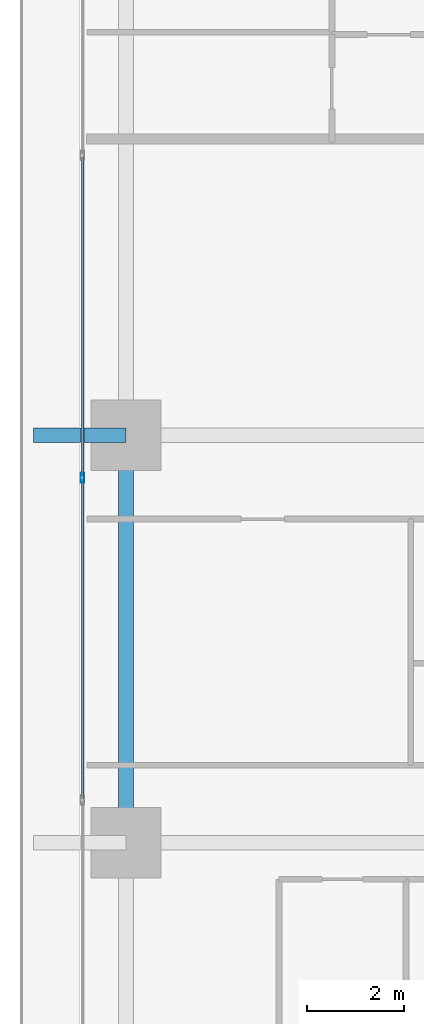
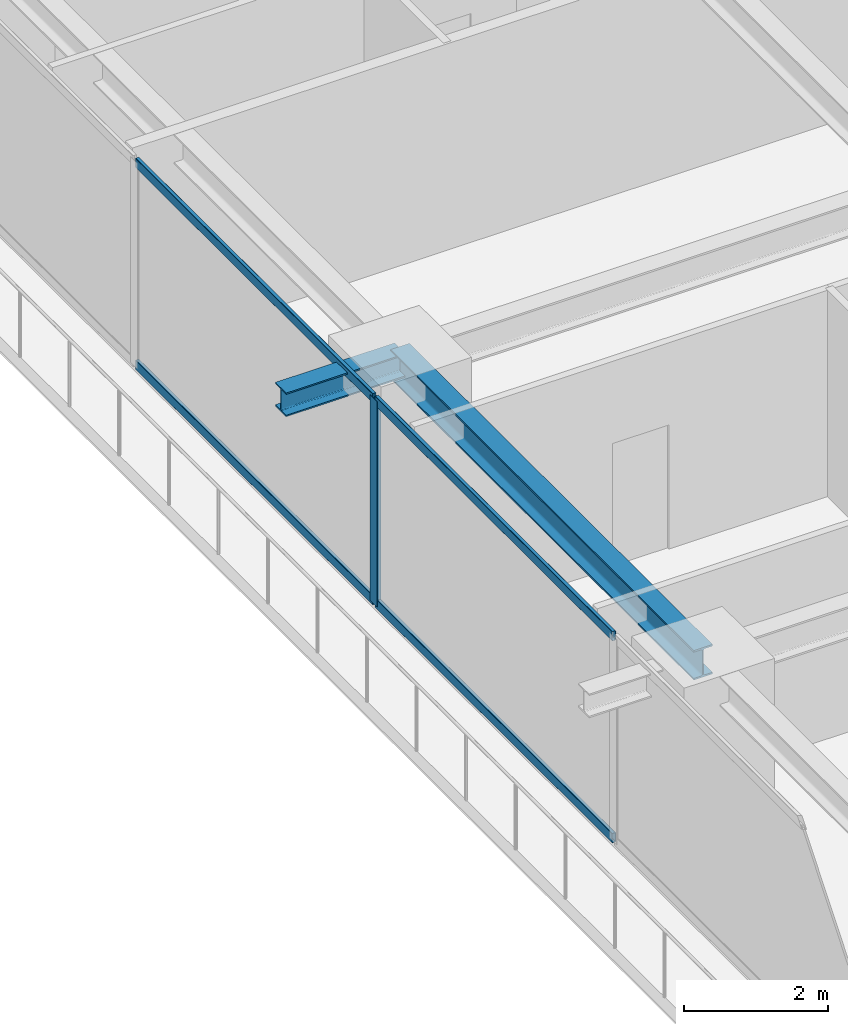
# One storey, part 8 of 37: 5 members, 2 beams, 1 element without a shape of its own.
"""IFC4 building model written with IfcOpenShell, lengths in metres."""

import ifcopenshell
import ifcopenshell.guid

model = None  # the IFC model being written
_history = None  # IfcOwnerHistory: only IFC2X3 demands one
_inside = {}  # id of a spatial element -> (the spatial element, [elements in it])
_under = {}  # id of a project, library or spatial element -> (it, [spatial elements below it])
_declared = {}  # id of a project -> (the project, [libraries it declares])
_typed = {}  # id of a type object -> (the type object, [elements of that type])
_made_of = {}  # id of a material, layer set ... -> (it, [elements and type objects made of it])


def new_model(schema):
    """Start an empty IFC model of exactly this schema.

    Asked for "IFC4X3", IfcOpenShell would pick the latest addendum, in which some entities
    have other attributes; the version numbers below select the first issue.
    IFC2X3 requires an IfcOwnerHistory on every rooted entity: one is made here for all.
    """
    global model, _history
    if schema == "IFC4X3":
        model = ifcopenshell.file(schema_version=(4, 3, 0, 0))
    else:
        model = ifcopenshell.file(schema=schema)
    _inside.clear()
    _under.clear()
    _declared.clear()
    _typed.clear()
    _made_of.clear()
    _history = None
    if model.schema == "IFC2X3":
        org = make("IfcOrganization", Name="unknown")
        user = make(
            "IfcPersonAndOrganization",
            ThePerson=make("IfcPerson", FamilyName="unknown"),
            TheOrganization=org,
        )
        app = make(
            "IfcApplication",
            ApplicationDeveloper=org,
            Version="unknown",
            ApplicationFullName="unknown",
            ApplicationIdentifier="unknown",
        )
        _history = make(
            "IfcOwnerHistory",
            OwningUser=user,
            OwningApplication=app,
            ChangeAction="ADDED",
            CreationDate=0,
        )
    return model


def make(cls, **values):
    """One entity of the class cls with the attributes given. An attribute that is None is left unset."""
    return model.create_entity(
        cls, **{name: value for name, value in values.items() if value is not None}
    )


def rooted(cls, **values):
    """An entity with a GlobalId (a new one), such as an element, a storey or a relation."""
    return make(cls, GlobalId=ifcopenshell.guid.new(), OwnerHistory=_history, **values)


def si_unit(unit_type, name, prefix=None):
    """IfcSIUnit, for example si_unit("LENGTHUNIT", "METRE", prefix="MILLI")."""
    return make("IfcSIUnit", UnitType=unit_type, Prefix=prefix, Name=name)


def assignment(units):
    """IfcUnitAssignment: the units of a project."""
    return None if units is None else make("IfcUnitAssignment", Units=units)


def point(xyz):
    """IfcCartesianPoint."""
    return None if xyz is None else make("IfcCartesianPoint", Coordinates=xyz)


def direction(xyz):
    """IfcDirection."""
    return None if xyz is None else make("IfcDirection", DirectionRatios=xyz)


def frame(location, z_axis=None, x_axis=None):
    """IfcAxis2Placement3D, a coordinate frame: its origin and axes. An axis left out is left unset."""
    return make(
        "IfcAxis2Placement3D",
        Location=point(location),
        Axis=direction(z_axis),
        RefDirection=direction(x_axis),
    )


def frame_2d(location, x_axis=None):
    """IfcAxis2Placement2D, a coordinate frame in the plane: its origin and x axis."""
    return make(
        "IfcAxis2Placement2D", Location=point(location), RefDirection=direction(x_axis)
    )


def origin():
    """The frame at (0, 0, 0) with its axes left unset."""
    return frame((0.0, 0.0, 0.0))


def origin_2d():
    """The frame at (0, 0) in the plane with its x axis left unset."""
    return frame_2d((0.0, 0.0))


def place(relative_to, where):
    """IfcLocalPlacement: puts the frame where relative to a parent placement (None: the world)."""
    return make(
        "IfcLocalPlacement", PlacementRelTo=relative_to, RelativePlacement=where
    )


def context(
    kind, dimensions, precision=None, world=None, true_north=None, identifier=None
):
    """IfcGeometricRepresentationContext, for example the 3D "Model" context."""
    return make(
        "IfcGeometricRepresentationContext",
        ContextIdentifier=identifier,
        ContextType=kind,
        CoordinateSpaceDimension=dimensions,
        Precision=precision,
        WorldCoordinateSystem=world,
        TrueNorth=true_north,
    )


def subcontext(parent, identifier, kind, view, scale=None):
    """IfcGeometricRepresentationSubContext, for example "Body" below "Model"."""
    return make(
        "IfcGeometricRepresentationSubContext",
        ContextIdentifier=identifier,
        ContextType=kind,
        ParentContext=parent,
        TargetScale=scale,
        TargetView=view,
    )


def project(units=None, contexts=None):
    """IfcProject with its units and contexts."""
    return rooted(
        "IfcProject",
        Name="project",
        RepresentationContexts=contexts,
        UnitsInContext=assignment(units),
    )


def spatial(cls, under=None, at=None, **own):
    """A site, building, storey or space (cls), placed at a placement, below another one or the project."""
    s = rooted(cls, ObjectPlacement=at, **own)
    if under is not None:
        _under.setdefault(under.id(), (under, []))[1].append(s)
    return s


def profile(cls, at=None, kind="AREA", **sizes):
    """A parametric profile (cls). Its sizes go by their IFC names, for example OverallWidth=200.0."""
    return make(cls, ProfileType=kind, Position=at, **sizes)


def hollow_rectangle(**sizes):
    """IfcRectangleHollowProfileDef."""
    return profile("IfcRectangleHollowProfileDef", **sizes)


def i_section(**sizes):
    """IfcIShapeProfileDef."""
    return profile("IfcIShapeProfileDef", **sizes)


def extrude(swept, where, along, depth):
    """IfcExtrudedAreaSolid: the profile swept, set in the frame where, extruded along a direction by depth."""
    return make(
        "IfcExtrudedAreaSolid",
        SweptArea=swept,
        Position=where,
        ExtrudedDirection=direction(along),
        Depth=depth,
    )


def shape(context_of_items, identifier, shape_type, items):
    """IfcShapeRepresentation: the items that make up one representation, for example the "Body"."""
    return make(
        "IfcShapeRepresentation",
        ContextOfItems=context_of_items,
        RepresentationIdentifier=identifier,
        RepresentationType=shape_type,
        Items=items,
    )


def source(mapping_origin, context_of_items, identifier, shape_type, items):
    """IfcRepresentationMap: a shape defined once, which mapped items show again and again."""
    return make(
        "IfcRepresentationMap",
        MappingOrigin=mapping_origin,
        MappedRepresentation=shape(context_of_items, identifier, shape_type, items),
    )


def transform(
    local_origin,
    x_axis=None,
    y_axis=None,
    z_axis=None,
    scale=None,
    scale2=None,
    scale3=None,
    uniform=True,
):
    """IfcCartesianTransformationOperator3D, or its non-uniform kind. x_axis, y_axis, z_axis: its Axis1, 2, 3."""
    if uniform:
        return make(
            "IfcCartesianTransformationOperator3D",
            Axis1=direction(x_axis),
            Axis2=direction(y_axis),
            LocalOrigin=point(local_origin),
            Scale=scale,
            Axis3=direction(z_axis),
        )
    return make(
        "IfcCartesianTransformationOperator3DnonUniform",
        Axis1=direction(x_axis),
        Axis2=direction(y_axis),
        LocalOrigin=point(local_origin),
        Scale=scale,
        Axis3=direction(z_axis),
        Scale2=scale2,
        Scale3=scale3,
    )


def mapped(mapping_source, mapping_target):
    """IfcMappedItem: shows the shape of a source again, moved by a transform."""
    return make(
        "IfcMappedItem", MappingSource=mapping_source, MappingTarget=mapping_target
    )


def material(Name=None, Category=None):
    """IfcMaterial."""
    return make("IfcMaterial", Name=Name, Category=Category)


def layer(
    of_material, thickness, ventilated=None, Name=None, Category=None, Priority=None
):
    """IfcMaterialLayer: one layer of a wall or slab, of a material (None: an air gap)."""
    return make(
        "IfcMaterialLayer",
        Material=of_material,
        LayerThickness=thickness,
        IsVentilated=ventilated,
        Name=Name,
        Category=Category,
        Priority=Priority,
    )


def layer_set(layers, Name=None):
    """IfcMaterialLayerSet."""
    return make("IfcMaterialLayerSet", MaterialLayers=layers, LayerSetName=Name)


def material_profile(
    of_material, cross_section, Name=None, Category=None, Priority=None
):
    """IfcMaterialProfile: a cross section and its material."""
    return make(
        "IfcMaterialProfile",
        Name=Name,
        Material=of_material,
        Profile=cross_section,
        Priority=Priority,
        Category=Category,
    )


def profile_set(profiles, Name=None, composite=None):
    """IfcMaterialProfileSet."""
    return make(
        "IfcMaterialProfileSet",
        Name=Name,
        MaterialProfiles=profiles,
        CompositeProfile=composite,
    )


def made_of(thing, what):
    """Note that an element or type object is made of a material, layer set ...; save() writes the relation."""
    if what is not None:
        _made_of.setdefault(what.id(), (what, []))[1].append(thing)
    return thing


def type_object(cls, material=None, **own):
    """A type object (cls), such as IfcWallType, which elements share."""
    return made_of(rooted(cls, **own), material)


def element(
    cls,
    number,
    at=None,
    inside=None,
    cuts=None,
    type_object=None,
    material=None,
    context=None,
    identifier="Body",
    shape_type=None,
    held_by="IfcProductDefinitionShape",
    body=None,
    shapes=None,
    **own,
):
    """One element of the class cls, such as IfcWall. Its Tag is "e" and its number.

    at: its placement. inside: the storey or other place that contains it. cuts: it is an
    opening in that element (IfcRelVoidsElement). A single representation is given by context,
    identifier, shape_type and body (its items); several are given by shapes. held_by: the class
    of the entity that holds the representations. save() writes the other relations.
    """
    e = rooted(cls, Tag="e%d" % number, ObjectPlacement=at, **own)
    if body is not None:
        shapes = [shape(context, identifier, shape_type, body)]
    if shapes is not None:
        e.Representation = make(held_by, Representations=shapes)
    if inside is not None:
        _inside.setdefault(inside.id(), (inside, []))[1].append(e)
    if cuts is not None:
        rooted(
            "IfcRelVoidsElement", RelatingBuildingElement=cuts, RelatedOpeningElement=e
        )
    if type_object is not None:
        _typed.setdefault(type_object.id(), (type_object, []))[1].append(e)
    return made_of(e, material)


def aggregate(whole, parts):
    """IfcRelAggregates: a whole, such as a stair, and the parts it consists of."""
    return rooted("IfcRelAggregates", RelatingObject=whole, RelatedObjects=parts)


def save(model, path):
    """Write the relations noted so far, then the file.

    IfcRelAggregates (storeys below a building ...), IfcRelContainedInSpatialStructure (elements
    in a storey), IfcRelDefinesByType, IfcRelAssociatesMaterial and IfcRelDeclares: one each for
    every whole, place, type object, material and project.
    """
    for whole, parts in _under.values():
        aggregate(whole, parts)
    for where, things in _inside.values():
        rooted(
            "IfcRelContainedInSpatialStructure",
            RelatedElements=things,
            RelatingStructure=where,
        )
    for kind, things in _typed.values():
        rooted("IfcRelDefinesByType", RelatedObjects=things, RelatingType=kind)
    for what, things in _made_of.values():
        rooted("IfcRelAssociatesMaterial", RelatedObjects=things, RelatingMaterial=what)
    for by, libraries in _declared.values():
        rooted("IfcRelDeclares", RelatingContext=by, RelatedDefinitions=libraries)
    model.write(path)


model = new_model("IFC4")

# Units and contexts
model_context = context("Model", 3, precision=1e-05, world=origin(), true_north=direction((0.0, 1.0)))
body_context = subcontext(model_context, "Body", "Model", "MODEL_VIEW")
ifc_project = project(units=[si_unit("LENGTHUNIT", "METRE"), si_unit("AREAUNIT", "SQUARE_METRE"), si_unit("VOLUMEUNIT", "CUBIC_METRE"), si_unit("PLANEANGLEUNIT", "RADIAN"), si_unit("MASSUNIT", "GRAM", prefix="KILO")], contexts=[model_context])

# Site, building, storey
site_placement = place(None, origin())
site = spatial("IfcSite", under=ifc_project, at=site_placement, CompositionType="ELEMENT")
building_placement = place(site_placement, origin())
building = spatial("IfcBuilding", under=site, at=building_placement, Name="Serunith Strait Residences", CompositionType="ELEMENT")
storey_placement = place(building_placement, frame((0.0, 0.0, 34.199951171875)))
storey = spatial("IfcBuildingStorey", under=building, at=storey_placement, Name="L07", CompositionType="ELEMENT", Elevation=34.199951171875)

# Beams
ifc_material_1 = material(Name="Steel S355J2", Category="steel")
ifc_material_profile_1 = material_profile(ifc_material_1, i_section(OverallWidth=0.300048828125, OverallDepth=0.5, WebThickness=0.014404296875, FlangeThickness=0.028076171875, FilletRadius=0.027099609375, at=origin_2d()), Name="HEB 500")
ifc_profile_set_1 = profile_set([ifc_material_profile_1], Name="Steel S355J2")
beam_type_1 = type_object("IfcBeamType", Name="BM-HEB500", PredefinedType="BEAM", material=ifc_profile_set_1)
shared_shape_1 = source(origin(), body_context, "Body", "SweptSolid", [
    extrude(i_section(OverallWidth=0.300048828125, OverallDepth=0.5, WebThickness=0.014404296875, FlangeThickness=0.028076171875, FilletRadius=0.027099609375, at=origin_2d()), origin(), (0.0, 0.0, 1.0), 8.39990234375),
])
beam_1_placement = place(storey_placement, frame((6.89990234375, 29.39990234375, 3.237060546875), z_axis=(0.0, -1.0, 0.0), x_axis=(1.0, 0.0, 0.0)))
element("IfcBeam", 1, at=beam_1_placement, inside=storey, type_object=beam_type_1, Name="L07 Perimeter Ring Beam 14", PredefinedType="BEAM", context=body_context, shape_type="MappedRepresentation", body=[
    mapped(shared_shape_1, transform((0.0, 0.0, 0.0), scale=1.0)),
])
ifc_material_profile_2 = material_profile(ifc_material_1, i_section(OverallWidth=0.300048828125, OverallDepth=0.39990234375, WebThickness=0.013427734375, FlangeThickness=0.02392578125, FilletRadius=0.027099609375, at=origin_2d()), Name="HEB 400")
ifc_profile_set_2 = profile_set([ifc_material_profile_2], Name="Steel S355J2")
beam_type_2 = type_object("IfcBeamType", Name="BM-HEB400", PredefinedType="BEAM", material=ifc_profile_set_2)
shared_shape_2 = source(origin(), body_context, "Body", "SweptSolid", [
    extrude(i_section(OverallWidth=0.300048828125, OverallDepth=0.39990234375, WebThickness=0.013427734375, FlangeThickness=0.02392578125, FilletRadius=0.027099609375, at=origin_2d()), origin(), (0.0, 0.0, 1.0), 1.909912109375),
])
beam_2_placement = place(storey_placement, frame((6.89990234375, 29.39990234375, 3.257080078125), z_axis=(-1.0, 0.0, 0.0), x_axis=(0.0, -1.0, 0.0)))
element("IfcBeam", 2, at=beam_2_placement, inside=storey, type_object=beam_type_2, Name="L08 Cantilevered Balcony Rib TC-W3", PredefinedType="BEAM", context=body_context, shape_type="MappedRepresentation", body=[
    mapped(shared_shape_2, transform((0.0, 0.0, 0.0), scale=1.0)),
])

# Curtain wall, members
ifc_material_2 = material(Name="Pale-Champagne Anodised Aluminium", Category="aluminium")
ifc_layer = layer(ifc_material_2, 0.199951171875, Name="Pale-Champagne Anodised Aluminium")
ifc_layer_set = layer_set([ifc_layer], Name="Pale-Champagne Anodised Aluminium")
curtain_wall_type = type_object("IfcCurtainWallType", Name="CW-SYS1", PredefinedType="NOTDEFINED", material=ifc_layer_set)
curtain_wall_placement = place(storey_placement, origin())
curtain_wall = element("IfcCurtainWall", 3, at=curtain_wall_placement, inside=storey, type_object=curtain_wall_type, Name="L07 W Unitised Fritted Curtain Wall", PredefinedType="NOTDEFINED")
ifc_material_profile_3 = material_profile(ifc_material_2, hollow_rectangle(XDim=0.070068359375, YDim=0.199951171875, WallThickness=0.00390625, InnerFilletRadius=0.006103515625, OuterFilletRadius=0.010009765625, at=origin_2d()), Name="ALU 200x70x4")
ifc_profile_set_3 = profile_set([ifc_material_profile_3], Name="Pale-Champagne Anodised Aluminium")
member_type_1 = type_object("IfcMemberType", Name="CW-SYS1-MULL", PredefinedType="MULLION", material=ifc_profile_set_3)
shared_shape_3 = source(origin(), body_context, "Body", "SweptSolid", [
    extrude(hollow_rectangle(XDim=0.070068359375, YDim=0.199951171875, WallThickness=0.00390625, InnerFilletRadius=0.006103515625, OuterFilletRadius=0.010009765625, at=origin_2d()), origin(), (0.0, 0.0, 1.0), 3.47509765625),
])
member_1_placement = place(storey_placement, frame((6.0, 28.52001953125, 0.0), z_axis=(0.0, 0.0, 1.0), x_axis=(1.0, 0.0, 0.0)))
member_1 = element("IfcMember", 4, at=member_1_placement, type_object=member_type_1, Name="CW-1 mullion 3", PredefinedType="MULLION", context=body_context, shape_type="MappedRepresentation", body=[
    mapped(shared_shape_3, transform((0.0, 0.0, 0.0), scale=1.0)),
])
ifc_material_profile_4 = material_profile(ifc_material_2, hollow_rectangle(XDim=0.06005859375, YDim=0.159912109375, WallThickness=0.00341796875, InnerFilletRadius=0.00537109375, OuterFilletRadius=0.0087890625, at=origin_2d()), Name="ALU 160x60x3.5")
ifc_profile_set_4 = profile_set([ifc_material_profile_4], Name="Pale-Champagne Anodised Aluminium")
member_type_2 = type_object("IfcMemberType", Name="CW-SYS1-TRAN", PredefinedType="USERDEFINED", material=ifc_profile_set_4)
shared_shape_4 = source(origin(), body_context, "Body", "SweptSolid", [
    extrude(hollow_rectangle(XDim=0.06005859375, YDim=0.159912109375, WallThickness=0.00341796875, InnerFilletRadius=0.00537109375, OuterFilletRadius=0.0087890625, at=origin_2d()), origin(), (0.0, 0.0, 1.0), 6.570068359375),
])
member_2_placement = place(storey_placement, frame((6.0, 35.125, 0.030029296875), z_axis=(0.0, -1.0, 0.0), x_axis=(1.0, 0.0, 0.0)))
member_2 = element("IfcMember", 5, at=member_2_placement, type_object=member_type_2, Name="CW-1 transom 2.1", ObjectType="TRANSOM", PredefinedType="USERDEFINED", context=body_context, shape_type="MappedRepresentation", body=[
    mapped(shared_shape_4, transform((0.0, 0.0, 0.0), scale=1.0)),
])
member_3_placement = place(storey_placement, frame((6.0, 35.125, 3.445068359375), z_axis=(0.0, -1.0, 0.0), x_axis=(1.0, 0.0, 0.0)))
member_3 = element("IfcMember", 6, at=member_3_placement, type_object=member_type_2, Name="CW-1 transom 2.2", ObjectType="TRANSOM", PredefinedType="USERDEFINED", context=body_context, shape_type="MappedRepresentation", body=[
    mapped(shared_shape_4, transform((0.0, 0.0, 0.0), scale=1.0)),
])
member_4_placement = place(storey_placement, frame((6.0, 28.485107421875, 0.030029296875), z_axis=(0.0, -1.0, 0.0), x_axis=(1.0, 0.0, 0.0)))
member_4 = element("IfcMember", 7, at=member_4_placement, type_object=member_type_2, Name="CW-1 transom 3.1", ObjectType="TRANSOM", PredefinedType="USERDEFINED", context=body_context, shape_type="MappedRepresentation", body=[
    mapped(shared_shape_4, transform((0.0, 0.0, 0.0), scale=1.0)),
])
member_5_placement = place(storey_placement, frame((6.0, 28.485107421875, 3.445068359375), z_axis=(0.0, -1.0, 0.0), x_axis=(1.0, 0.0, 0.0)))
member_5 = element("IfcMember", 8, at=member_5_placement, type_object=member_type_2, Name="CW-1 transom 3.2", ObjectType="TRANSOM", PredefinedType="USERDEFINED", context=body_context, shape_type="MappedRepresentation", body=[
    mapped(shared_shape_4, transform((0.0, 0.0, 0.0), scale=1.0)),
])
aggregate(curtain_wall, [member_1, member_2, member_3, member_4, member_5])

save(model, "model.ifc")
